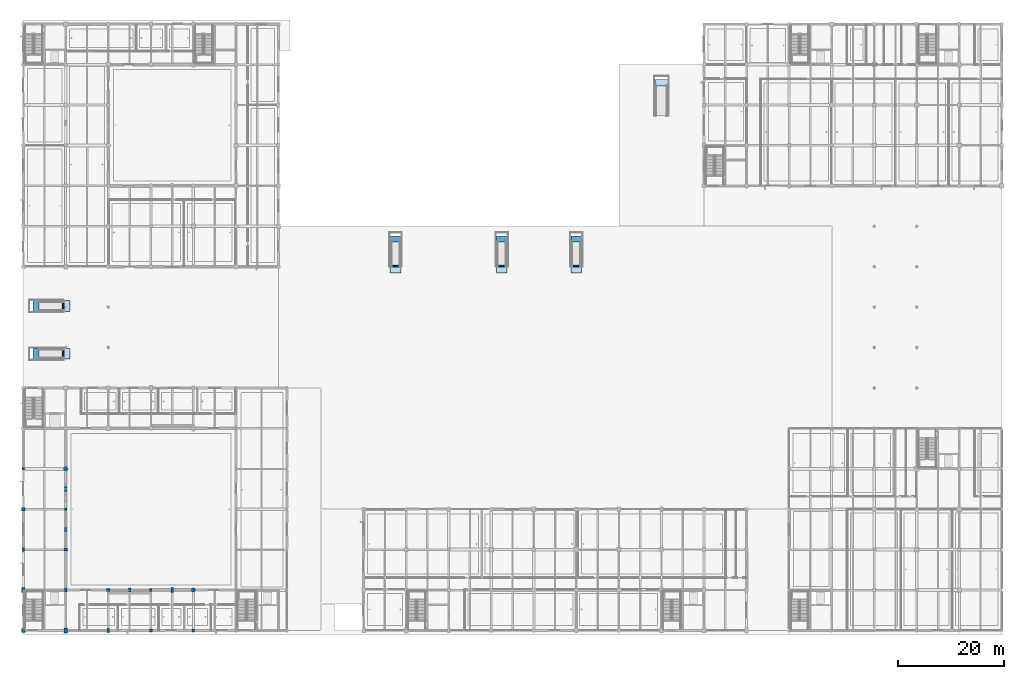
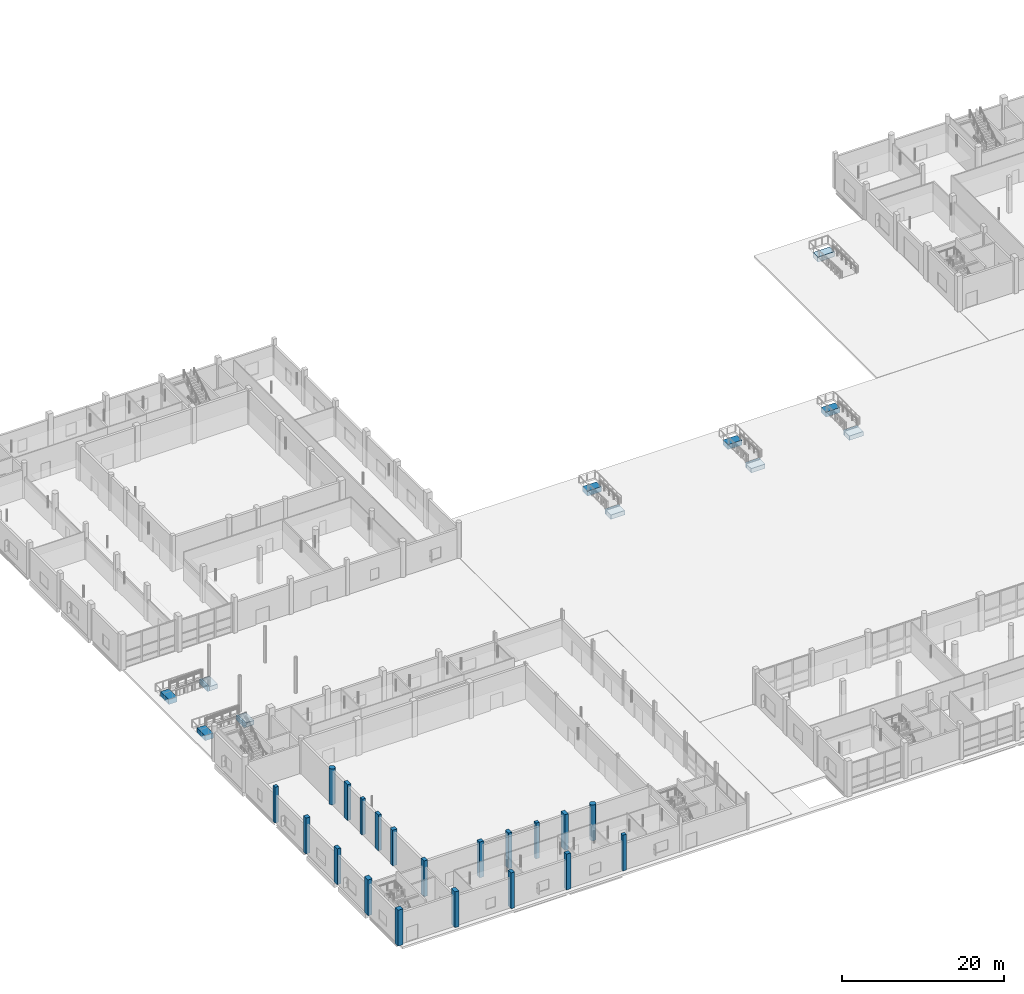
# One storey, part 1 of 126: 20 columns, 16 footings.
"""IFC4 building model written with IfcOpenShell, lengths in metres."""

from ifc_helpers import new_model, si_unit, direction, frame, origin, origin_with_axes, origin_2d, place, context, subcontext, project, spatial, polyline, rectangle, circle, outline, extrude, material, material_profile, profile_set, type_object, element, save


model = new_model("IFC4")

# Units and contexts
model_context = context("Model", 3, precision=1e-05, world=origin(), true_north=direction((0.0, 1.0)))
body_context = subcontext(model_context, "Body", "Model", "MODEL_VIEW")
ifc_project = project(units=[si_unit("LENGTHUNIT", "METRE"), si_unit("AREAUNIT", "SQUARE_METRE"), si_unit("VOLUMEUNIT", "CUBIC_METRE"), si_unit("PLANEANGLEUNIT", "RADIAN"), si_unit("MASSUNIT", "GRAM", prefix="KILO")], contexts=[model_context])

# Site, building, storey
site_placement = place(None, origin())
site = spatial("IfcSite", under=ifc_project, at=site_placement, CompositionType="ELEMENT")
building_placement = place(site_placement, origin())
building = spatial("IfcBuilding", under=site, at=building_placement, Name="Khelvaren Railside Concert Hall", CompositionType="ELEMENT")
storey_placement = place(building_placement, origin())
storey = spatial("IfcBuildingStorey", under=building, at=storey_placement, Name="L00", CompositionType="ELEMENT", Elevation=0.0)

# Footings
ifc_material_1 = material(Name="Concrete C35/45", Category="concrete")
footing_type_1 = type_object("IfcFootingType", Name="PF12", PredefinedType="PAD_FOOTING", material=ifc_material_1)
footing_1_placement = place(storey_placement, frame((0.0, 0.0, -0.949951171875)))
element("IfcFooting", 1, at=footing_1_placement, inside=storey, type_object=footing_type_1, Name="Ramp Bearing Pad Footing RMP01-LIP", PredefinedType="PAD_FOOTING", context=body_context, shape_type="SweptSolid", body=[
    extrude(outline(polyline([(7.35009765625, 51.0), (7.60009765625, 51.0), (7.60009765625, 53.0), (7.35009765625, 53.0), (7.35009765625, 51.0)])), origin(), (0.0, 0.0, 1.0), 0.72998046875),
])
footing_2_placement = place(storey_placement, frame((0.0, 0.0, -0.949951171875)))
element("IfcFooting", 2, at=footing_2_placement, inside=storey, type_object=footing_type_1, Name="Ramp Bearing Pad Footing RMP02-LIP", PredefinedType="PAD_FOOTING", context=body_context, shape_type="SweptSolid", body=[
    extrude(outline(polyline([(7.35009765625, 60.0), (7.60009765625, 60.0), (7.60009765625, 62.0), (7.35009765625, 62.0), (7.35009765625, 60.0)])), origin(), (0.0, 0.0, 1.0), 0.72998046875),
])
footing_type_2 = type_object("IfcFootingType", Name="PF43", PredefinedType="PAD_FOOTING", material=ifc_material_1)
footing_3_placement = place(storey_placement, frame((0.0, 0.0, -0.949951171875)))
element("IfcFooting", 3, at=footing_3_placement, inside=storey, type_object=footing_type_2, Name="Ramp Bearing Pad Footing RMP03-HEAD", PredefinedType="PAD_FOOTING", context=body_context, shape_type="SweptSolid", body=[
    extrude(outline(polyline([(69.0, 67.219970703125), (71.0, 67.219970703125), (71.0, 68.39990234375), (69.0, 68.39990234375), (69.0, 67.219970703125)])), origin(), (0.0, 0.0, 1.0), 0.64990234375),
])
footing_4_placement = place(storey_placement, frame((0.0, 0.0, -0.949951171875)))
element("IfcFooting", 4, at=footing_4_placement, inside=storey, type_object=footing_type_2, Name="Ramp Bearing Pad Footing RMP04-HEAD", PredefinedType="PAD_FOOTING", context=body_context, shape_type="SweptSolid", body=[
    extrude(outline(polyline([(89.0, 67.219970703125), (91.0, 67.219970703125), (91.0, 68.39990234375), (89.0, 68.39990234375), (89.0, 67.219970703125)])), origin(), (0.0, 0.0, 1.0), 0.64990234375),
])
footing_5_placement = place(storey_placement, frame((0.0, 0.0, -0.949951171875)))
element("IfcFooting", 5, at=footing_5_placement, inside=storey, type_object=footing_type_2, Name="Ramp Bearing Pad Footing RMP05-HEAD", PredefinedType="PAD_FOOTING", context=body_context, shape_type="SweptSolid", body=[
    extrude(outline(polyline([(103.0, 67.219970703125), (105.0, 67.219970703125), (105.0, 68.39990234375), (103.0, 68.39990234375), (103.0, 67.219970703125)])), origin(), (0.0, 0.0, 1.0), 0.64990234375),
])
footing_type_3 = type_object("IfcFootingType", Name="PF44", PredefinedType="PAD_FOOTING", material=ifc_material_1)
footing_6_placement = place(storey_placement, frame((0.0, 0.0, -0.949951171875)))
element("IfcFooting", 6, at=footing_6_placement, inside=storey, type_object=footing_type_3, Name="Ramp Bearing Pad Footing RMP03-TOE", PredefinedType="PAD_FOOTING", context=body_context, shape_type="SweptSolid", body=[
    extrude(outline(polyline([(69.0, 73.0), (71.0, 73.0), (71.0, 74.199951171875), (69.0, 74.199951171875), (69.0, 73.0)])), origin(), (0.0, 0.0, 1.0), 0.75),
])
footing_7_placement = place(storey_placement, frame((0.0, 0.0, -0.949951171875)))
element("IfcFooting", 7, at=footing_7_placement, inside=storey, type_object=footing_type_3, Name="Ramp Bearing Pad Footing RMP04-TOE", PredefinedType="PAD_FOOTING", context=body_context, shape_type="SweptSolid", body=[
    extrude(outline(polyline([(89.0, 73.0), (91.0, 73.0), (91.0, 74.199951171875), (89.0, 74.199951171875), (89.0, 73.0)])), origin(), (0.0, 0.0, 1.0), 0.75),
])
footing_8_placement = place(storey_placement, frame((0.0, 0.0, -0.949951171875)))
element("IfcFooting", 8, at=footing_8_placement, inside=storey, type_object=footing_type_3, Name="Ramp Bearing Pad Footing RMP05-TOE", PredefinedType="PAD_FOOTING", context=body_context, shape_type="SweptSolid", body=[
    extrude(outline(polyline([(103.0, 73.0), (105.0, 73.0), (105.0, 74.199951171875), (103.0, 74.199951171875), (103.0, 73.0)])), origin(), (0.0, 0.0, 1.0), 0.75),
])
footing_type_4 = type_object("IfcFootingType", Name="PF54", PredefinedType="PAD_FOOTING", material=ifc_material_1)
footing_9_placement = place(storey_placement, frame((0.0, 0.0, -0.949951171875)))
element("IfcFooting", 9, at=footing_9_placement, inside=storey, type_object=footing_type_4, Name="Ramp Bearing Pad Footing RMP03-LIP", PredefinedType="PAD_FOOTING", context=body_context, shape_type="SweptSolid", body=[
    extrude(outline(polyline([(69.0, 68.39990234375), (71.0, 68.39990234375), (71.0, 68.64990234375), (69.0, 68.64990234375), (69.0, 68.39990234375)])), origin(), (0.0, 0.0, 1.0), 0.72998046875),
])
footing_10_placement = place(storey_placement, frame((0.0, 0.0, -0.949951171875)))
element("IfcFooting", 10, at=footing_10_placement, inside=storey, type_object=footing_type_4, Name="Ramp Bearing Pad Footing RMP04-LIP", PredefinedType="PAD_FOOTING", context=body_context, shape_type="SweptSolid", body=[
    extrude(outline(polyline([(89.0, 68.39990234375), (91.0, 68.39990234375), (91.0, 68.64990234375), (89.0, 68.64990234375), (89.0, 68.39990234375)])), origin(), (0.0, 0.0, 1.0), 0.72998046875),
])
footing_11_placement = place(storey_placement, frame((0.0, 0.0, -0.949951171875)))
element("IfcFooting", 11, at=footing_11_placement, inside=storey, type_object=footing_type_4, Name="Ramp Bearing Pad Footing RMP05-LIP", PredefinedType="PAD_FOOTING", context=body_context, shape_type="SweptSolid", body=[
    extrude(outline(polyline([(103.0, 68.39990234375), (105.0, 68.39990234375), (105.0, 68.64990234375), (103.0, 68.64990234375), (103.0, 68.39990234375)])), origin(), (0.0, 0.0, 1.0), 0.72998046875),
])
footing_type_5 = type_object("IfcFootingType", Name="PF59", PredefinedType="PAD_FOOTING", material=ifc_material_1)
footing_12_placement = place(storey_placement, frame((0.0, 0.0, -0.949951171875)))
element("IfcFooting", 12, at=footing_12_placement, inside=storey, type_object=footing_type_5, Name="Ramp Bearing Pad Footing RMP06-TOE", PredefinedType="PAD_FOOTING", context=body_context, shape_type="SweptSolid", body=[
    extrude(outline(polyline([(118.800048828125, 102.39990234375), (121.199951171875, 102.39990234375), (121.199951171875, 103.60009765625), (118.800048828125, 103.60009765625), (118.800048828125, 102.39990234375)])), origin(), (0.0, 0.0, 1.0), 0.75),
])
footing_type_6 = type_object("IfcFootingType", Name="PF68", PredefinedType="PAD_FOOTING", material=ifc_material_1)
footing_13_placement = place(storey_placement, frame((0.0, 0.0, -0.949951171875)))
element("IfcFooting", 13, at=footing_13_placement, inside=storey, type_object=footing_type_6, Name="Ramp Bearing Pad Footing RMP01-HEAD", PredefinedType="PAD_FOOTING", context=body_context, shape_type="SweptSolid", body=[
    extrude(outline(polyline([(7.60009765625, 51.0), (8.780029296875, 51.0), (8.780029296875, 53.0), (7.60009765625, 53.0), (7.60009765625, 51.0)])), origin(), (0.0, 0.0, 1.0), 0.64990234375),
])
footing_14_placement = place(storey_placement, frame((0.0, 0.0, -0.949951171875)))
element("IfcFooting", 14, at=footing_14_placement, inside=storey, type_object=footing_type_6, Name="Ramp Bearing Pad Footing RMP02-HEAD", PredefinedType="PAD_FOOTING", context=body_context, shape_type="SweptSolid", body=[
    extrude(outline(polyline([(7.60009765625, 60.0), (8.780029296875, 60.0), (8.780029296875, 62.0), (7.60009765625, 62.0), (7.60009765625, 60.0)])), origin(), (0.0, 0.0, 1.0), 0.64990234375),
])
footing_type_7 = type_object("IfcFootingType", Name="PF71", PredefinedType="PAD_FOOTING", material=ifc_material_1)
footing_15_placement = place(storey_placement, frame((0.0, 0.0, -0.949951171875)))
element("IfcFooting", 15, at=footing_15_placement, inside=storey, type_object=footing_type_7, Name="Ramp Bearing Pad Footing RMP01-TOE", PredefinedType="PAD_FOOTING", context=body_context, shape_type="SweptSolid", body=[
    extrude(outline(polyline([(1.800048828125, 51.0), (3.0, 51.0), (3.0, 53.0), (1.800048828125, 53.0), (1.800048828125, 51.0)])), origin(), (0.0, 0.0, 1.0), 0.75),
])
footing_16_placement = place(storey_placement, frame((0.0, 0.0, -0.949951171875)))
element("IfcFooting", 16, at=footing_16_placement, inside=storey, type_object=footing_type_7, Name="Ramp Bearing Pad Footing RMP02-TOE", PredefinedType="PAD_FOOTING", context=body_context, shape_type="SweptSolid", body=[
    extrude(outline(polyline([(1.800048828125, 60.0), (3.0, 60.0), (3.0, 62.0), (1.800048828125, 62.0), (1.800048828125, 60.0)])), origin(), (0.0, 0.0, 1.0), 0.75),
])

# Columns
ifc_material_2 = material(Name="Concrete C45/55", Category="concrete")
ifc_material_profile_1 = material_profile(ifc_material_2, rectangle(XDim=0.60009765625, YDim=0.60009765625, at=origin_2d()), Name="RC 600x600")
ifc_profile_set_1 = profile_set([ifc_material_profile_1], Name="Concrete C45/55")
column_type_1 = type_object("IfcColumnType", Name="COL11", PredefinedType="COLUMN", material=ifc_profile_set_1)
for number, where, z_axis, x_axis, name in (
    (17, (0.0, 22.800048828125, 0.0), (0.0, 0.0, 1.0), (1.0, 0.0, 0.0), "V1 L00 Column (0.0,22.8)"),
    (18, (24.0, 0.0, 0.0), (0.0, 0.0, 1.0), (1.0, 0.0, 0.0), "V1 L00 Column (24.0,0.0)"),
):
    element("IfcColumn", number, at=place(storey_placement, frame(where, z_axis=z_axis, x_axis=x_axis)), inside=storey, type_object=column_type_1, Name=name, PredefinedType="COLUMN", context=body_context, shape_type="SweptSolid", body=[
        extrude(rectangle(XDim=0.60009765625, YDim=0.60009765625, at=origin_2d()), origin(), (0.0, 0.0, 1.0), 5.39990234375),
    ])
ifc_material_profile_2 = material_profile(ifc_material_2, circle(Radius=0.39990234375, at=origin_2d()), Name="RC D800")
ifc_profile_set_2 = profile_set([ifc_material_profile_2], Name="Concrete C45/55")
column_type_2 = type_object("IfcColumnType", Name="COL14", PredefinedType="COLUMN", material=ifc_profile_set_2)
for number, where, z_axis, x_axis, name in (
    (19, (8.0, 30.39990234375, 0.0), (0.0, 0.0, 1.0), (1.0, 0.0, 0.0), "V1 L00 Column (8.0,30.4)"),
    (20, (32.0, 7.60009765625, 0.0), (0.0, 0.0, 1.0), (1.0, 0.0, 0.0), "V1 L00 Column (32.0,7.6)"),
):
    element("IfcColumn", number, at=place(storey_placement, frame(where, z_axis=z_axis, x_axis=x_axis)), inside=storey, type_object=column_type_2, Name=name, PredefinedType="COLUMN", context=body_context, shape_type="SweptSolid", body=[
        extrude(circle(Radius=0.39990234375, at=origin_2d()), origin(), (0.0, 0.0, 1.0), 5.39990234375),
    ])
ifc_material_profile_3 = material_profile(ifc_material_2, rectangle(XDim=0.699951171875, YDim=0.699951171875, at=origin_2d()), Name="RC 700x700")
ifc_profile_set_3 = profile_set([ifc_material_profile_3], Name="Concrete C45/55")
column_type_3 = type_object("IfcColumnType", Name="COL16", PredefinedType="COLUMN", material=ifc_profile_set_3)
column_1_placement = place(storey_placement, origin_with_axes())
element("IfcColumn", 21, at=column_1_placement, inside=storey, type_object=column_type_3, Name="V1 L00 Column (0.0,0.0)", PredefinedType="COLUMN", context=body_context, shape_type="SweptSolid", body=[
    extrude(rectangle(XDim=0.699951171875, YDim=0.699951171875, at=origin_2d()), origin(), (0.0, 0.0, 1.0), 5.39990234375),
])
ifc_material_profile_4 = material_profile(ifc_material_2, rectangle(XDim=0.60009765625, YDim=0.60009765625, at=origin_2d()), Name="RC 600x600")
ifc_profile_set_4 = profile_set([ifc_material_profile_4], Name="Concrete C45/55")
column_type_4 = type_object("IfcColumnType", Name="COL29", PredefinedType="COLUMN", material=ifc_profile_set_4)
for number, where, z_axis, x_axis, name in (
    (22, (8.0, 15.199951171875, 0.0), (0.0, 0.0, 1.0), (1.0, 0.0, 0.0), "V1 L00 Column (8.0,15.2)"),
    (23, (16.0, 7.60009765625, 0.0), (0.0, 0.0, 1.0), (1.0, 0.0, 0.0), "V1 L00 Column (16.0,7.6)"),
):
    element("IfcColumn", number, at=place(storey_placement, frame(where, z_axis=z_axis, x_axis=x_axis)), inside=storey, type_object=column_type_4, Name=name, PredefinedType="COLUMN", context=body_context, shape_type="SweptSolid", body=[
        extrude(rectangle(XDim=0.60009765625, YDim=0.60009765625, at=origin_2d()), origin(), (0.0, 0.0, 1.0), 5.39990234375),
    ])
ifc_material_profile_5 = material_profile(ifc_material_2, rectangle(XDim=0.5, YDim=0.5, at=origin_2d()), Name="RC 500x500")
ifc_profile_set_5 = profile_set([ifc_material_profile_5], Name="Concrete C45/55")
column_type_5 = type_object("IfcColumnType", Name="COL35", PredefinedType="COLUMN", material=ifc_profile_set_5)
for number, where, z_axis, x_axis, name in (
    (24, (0.0, 30.39990234375, 0.0), (0.0, 0.0, 1.0), (1.0, 0.0, 0.0), "V1 L00 Column (0.0,30.4)"),
    (25, (32.0, 0.0, 0.0), (0.0, 0.0, 1.0), (1.0, 0.0, 0.0), "V1 L00 Column (32.0,0.0)"),
):
    element("IfcColumn", number, at=place(storey_placement, frame(where, z_axis=z_axis, x_axis=x_axis)), inside=storey, type_object=column_type_5, Name=name, PredefinedType="COLUMN", context=body_context, shape_type="SweptSolid", body=[
        extrude(rectangle(XDim=0.5, YDim=0.5, at=origin_2d()), origin(), (0.0, 0.0, 1.0), 5.39990234375),
    ])
ifc_material_profile_6 = material_profile(ifc_material_2, rectangle(XDim=0.5, YDim=0.75, at=origin_2d()), Name="RC 500x750")
ifc_profile_set_6 = profile_set([ifc_material_profile_6], Name="Concrete C45/55")
column_type_6 = type_object("IfcColumnType", Name="COL36", PredefinedType="COLUMN", material=ifc_profile_set_6)
column_2_placement = place(storey_placement, frame((8.0, 7.60009765625, 0.0), z_axis=(0.0, 0.0, 1.0), x_axis=(1.0, 0.0, 0.0)))
element("IfcColumn", 26, at=column_2_placement, inside=storey, type_object=column_type_6, Name="V1 L00 Column (8.0,7.6)", PredefinedType="COLUMN", context=body_context, shape_type="SweptSolid", body=[
    extrude(rectangle(XDim=0.5, YDim=0.75, at=origin_2d()), origin(), (0.0, 0.0, 1.0), 5.39990234375),
])
ifc_material_profile_7 = material_profile(ifc_material_2, rectangle(XDim=0.5, YDim=0.5, at=origin_2d()), Name="RC 500x500")
ifc_profile_set_7 = profile_set([ifc_material_profile_7], Name="Concrete C45/55")
column_type_7 = type_object("IfcColumnType", Name="COL84", PredefinedType="COLUMN", material=ifc_profile_set_7)
for number, where, z_axis, x_axis, name in (
    (27, (8.0, 22.800048828125, 0.0), (0.0, 0.0, 1.0), (1.0, 0.0, 0.0), "V1 L00 Column (8.0,22.8)"),
    (28, (24.0, 7.60009765625, 0.0), (0.0, 0.0, 1.0), (1.0, 0.0, 0.0), "V1 L00 Column (24.0,7.6)"),
):
    element("IfcColumn", number, at=place(storey_placement, frame(where, z_axis=z_axis, x_axis=x_axis)), inside=storey, type_object=column_type_7, Name=name, PredefinedType="COLUMN", context=body_context, shape_type="SweptSolid", body=[
        extrude(rectangle(XDim=0.5, YDim=0.5, at=origin_2d()), origin(), (0.0, 0.0, 1.0), 5.39990234375),
    ])
ifc_material_profile_8 = material_profile(ifc_material_2, rectangle(XDim=0.60009765625, YDim=0.89990234375, at=origin_2d()), Name="RC 600x900")
ifc_profile_set_8 = profile_set([ifc_material_profile_8], Name="Concrete C45/55")
column_type_8 = type_object("IfcColumnType", Name="COL95", PredefinedType="COLUMN", material=ifc_profile_set_8)
for number, where, z_axis, x_axis, name in (
    (29, (0.0, 7.60009765625, 0.0), (0.0, 0.0, 1.0), (1.0, 0.0, 0.0), "V1 L00 Column (0.0,7.6)"),
    (30, (8.0, 0.0, 0.0), (0.0, 0.0, 1.0), (1.0, 0.0, 0.0), "V1 L00 Column (8.0,0.0)"),
):
    element("IfcColumn", number, at=place(storey_placement, frame(where, z_axis=z_axis, x_axis=x_axis)), inside=storey, type_object=column_type_8, Name=name, PredefinedType="COLUMN", context=body_context, shape_type="SweptSolid", body=[
        extrude(rectangle(XDim=0.60009765625, YDim=0.89990234375, at=origin_2d()), origin(), (0.0, 0.0, 1.0), 5.39990234375),
    ])
ifc_material_profile_9 = material_profile(ifc_material_2, rectangle(XDim=0.5, YDim=0.75, at=origin_2d()), Name="RC 500x750")
ifc_profile_set_9 = profile_set([ifc_material_profile_9], Name="Concrete C45/55")
column_type_9 = type_object("IfcColumnType", Name="COL97", PredefinedType="COLUMN", material=ifc_profile_set_9)
for number, where, z_axis, x_axis, name in (
    (31, (0.0, 15.199951171875, 0.0), (0.0, 0.0, 1.0), (1.0, 0.0, 0.0), "V1 L00 Column (0.0,15.2)"),
    (32, (16.0, 0.0, 0.0), (0.0, 0.0, 1.0), (1.0, 0.0, 0.0), "V1 L00 Column (16.0,0.0)"),
):
    element("IfcColumn", number, at=place(storey_placement, frame(where, z_axis=z_axis, x_axis=x_axis)), inside=storey, type_object=column_type_9, Name=name, PredefinedType="COLUMN", context=body_context, shape_type="SweptSolid", body=[
        extrude(rectangle(XDim=0.5, YDim=0.75, at=origin_2d()), origin(), (0.0, 0.0, 1.0), 5.39990234375),
    ])
ifc_material_profile_10 = material_profile(ifc_material_2, rectangle(XDim=0.5, YDim=0.89990234375, at=origin_2d()), Name="PIL 500x900")
ifc_profile_set_10 = profile_set([ifc_material_profile_10], Name="Concrete C45/55")
column_type_10 = type_object("IfcColumnType", Name="PIL31", PredefinedType="PILASTER", material=ifc_profile_set_10)
for number, where, z_axis, x_axis, name in (
    (33, (8.0, 26.60009765625, 0.0), (0.0, 0.0, 1.0), (1.0, 0.0, 0.0), "Acoustic Buttress Pilaster 8"),
    (34, (28.0, 7.60009765625, 0.0), (0.0, 0.0, 1.0), (1.0, 0.0, 0.0), "Acoustic Buttress Pilaster 10"),
):
    element("IfcColumn", number, at=place(storey_placement, frame(where, z_axis=z_axis, x_axis=x_axis)), inside=storey, type_object=column_type_10, Name=name, PredefinedType="PILASTER", context=body_context, shape_type="SweptSolid", body=[
        extrude(rectangle(XDim=0.5, YDim=0.89990234375, at=origin_2d()), origin(), (0.0, 0.0, 1.0), 5.39990234375),
    ])
ifc_material_profile_11 = material_profile(ifc_material_2, rectangle(XDim=0.449951171875, YDim=0.800048828125, at=origin_2d()), Name="PIL 450x800")
ifc_profile_set_11 = profile_set([ifc_material_profile_11], Name="Concrete C45/55")
column_type_11 = type_object("IfcColumnType", Name="PIL63", PredefinedType="PILASTER", material=ifc_profile_set_11)
for number, where, z_axis, x_axis, name in (
    (35, (8.0, 19.0, 0.0), (0.0, 0.0, 1.0), (1.0, 0.0, 0.0), "Acoustic Buttress Pilaster 7"),
    (36, (20.0, 7.60009765625, 0.0), (0.0, 0.0, 1.0), (1.0, 0.0, 0.0), "Acoustic Buttress Pilaster 9"),
):
    element("IfcColumn", number, at=place(storey_placement, frame(where, z_axis=z_axis, x_axis=x_axis)), inside=storey, type_object=column_type_11, Name=name, PredefinedType="PILASTER", context=body_context, shape_type="SweptSolid", body=[
        extrude(rectangle(XDim=0.449951171875, YDim=0.800048828125, at=origin_2d()), origin(), (0.0, 0.0, 1.0), 5.39990234375),
    ])

save(model, "model.ifc")
